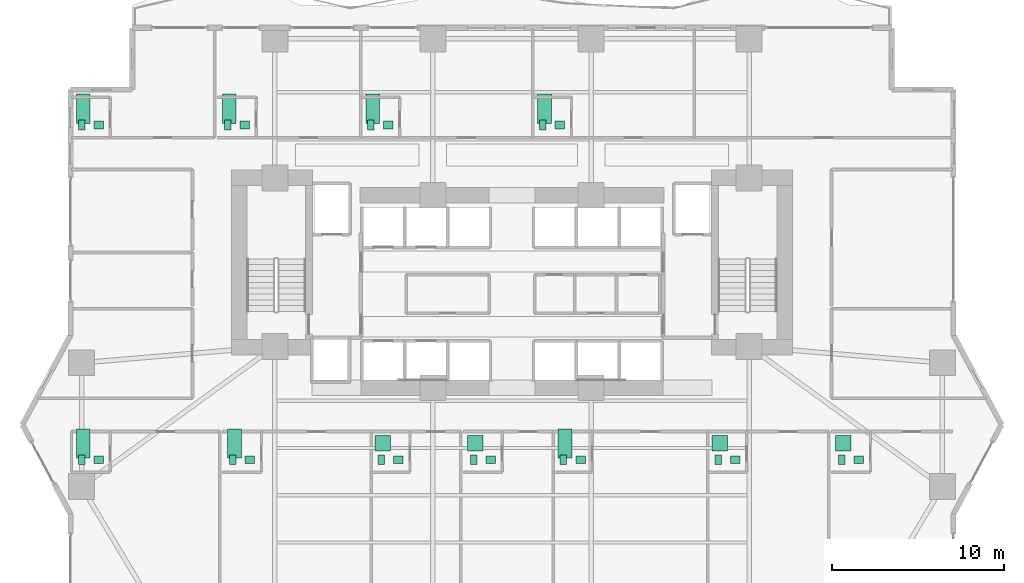
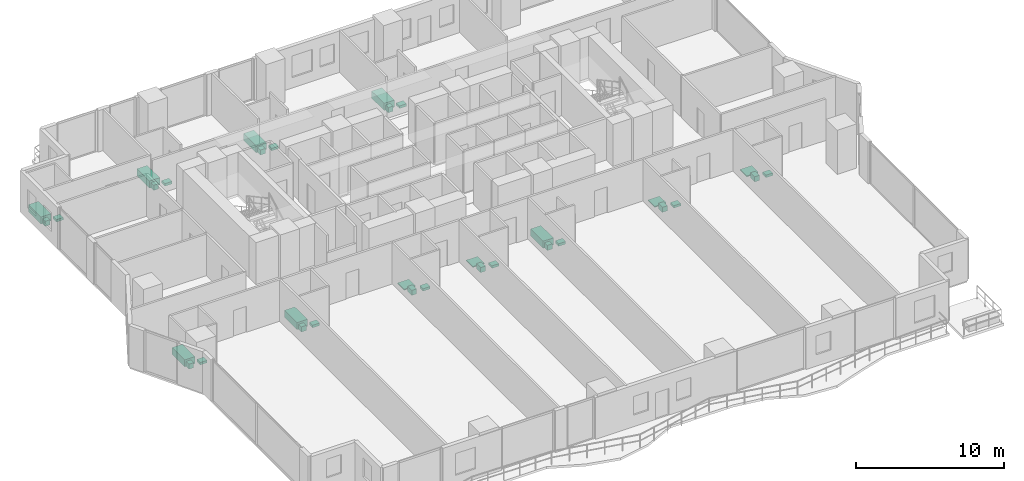
# One storey, part 29 of 29: 33 sanitary terminals.
"""IFC4 building model written with IfcOpenShell, lengths in metres."""

from ifc_helpers import new_model, si_unit, direction, frame, origin, origin_2d, place, context, subcontext, project, spatial, rectangle, extrude, material, type_object, element, save


model = new_model("IFC4")

# Units and contexts
model_context = context("Model", 3, precision=1e-05, world=origin(), true_north=direction((0.0, 1.0)))
body_context = subcontext(model_context, "Body", "Model", "MODEL_VIEW")
ifc_project = project(units=[si_unit("LENGTHUNIT", "METRE"), si_unit("AREAUNIT", "SQUARE_METRE"), si_unit("VOLUMEUNIT", "CUBIC_METRE"), si_unit("PLANEANGLEUNIT", "RADIAN"), si_unit("MASSUNIT", "GRAM", prefix="KILO")], contexts=[model_context])

# Site, building, storey
site_placement = place(None, origin())
site = spatial("IfcSite", under=ifc_project, at=site_placement, CompositionType="ELEMENT")
building_placement = place(site_placement, origin())
building = spatial("IfcBuilding", under=site, at=building_placement, Name="Zuhayl Quay Hotel", CompositionType="ELEMENT")
storey_placement = place(building_placement, frame((0.0, 0.0, 38.550048828125)))
storey = spatial("IfcBuildingStorey", under=building, at=storey_placement, Name="L08", CompositionType="ELEMENT", Elevation=38.550048828125)

# Sanitary terminals
ifc_material = material(Name="Vitreous Porcelain Sanitaryware")
sanitary_terminal_type_1 = type_object("IfcSanitaryTerminalType", Name="SAN_BASIN", PredefinedType="WASHHANDBASIN", material=ifc_material)
for number, where, z_axis, x_axis, name in (
    (1, (-24.050048828125, 17.43994140625, 0.0), (0.0, 0.0, 1.0), (1.0, 0.0, 0.0), "L08 Sanitary Fixture WASHHANDBASIN"),
    (2, (-15.550048828125, 17.43994140625, 0.0), (0.0, 0.0, 1.0), (1.0, 0.0, 0.0), "L08 Sanitary Fixture WASHHANDBASIN"),
    (3, (-7.2099609375, 17.43994140625, 0.0), (0.0, 0.0, 1.0), (1.0, 0.0, 0.0), "L08 Sanitary Fixture WASHHANDBASIN"),
    (4, (2.7900390625, 17.43994140625, 0.0), (0.0, 0.0, 1.0), (1.0, 0.0, 0.0), "L08 Sanitary Fixture WASHHANDBASIN"),
    (5, (-24.050048828125, -2.0400390625, 0.0), (0.0, 0.0, 1.0), (1.0, 0.0, 0.0), "L08 Sanitary Fixture WASHHANDBASIN"),
    (6, (-15.25, -2.0400390625, 0.0), (0.0, 0.0, 1.0), (1.0, 0.0, 0.0), "L08 Sanitary Fixture WASHHANDBASIN"),
    (7, (-6.610107421875, -2.0400390625, 0.0), (0.0, 0.0, 1.0), (1.0, 0.0, 0.0), "L08 Sanitary Fixture WASHHANDBASIN"),
    (8, (-1.22998046875, -2.0400390625, 0.0), (0.0, 0.0, 1.0), (1.0, 0.0, 0.0), "L08 Sanitary Fixture WASHHANDBASIN"),
    (9, (3.989990234375, -2.0400390625, 0.0), (0.0, 0.0, 1.0), (1.0, 0.0, 0.0), "L08 Sanitary Fixture WASHHANDBASIN"),
    (10, (12.989990234375, -2.0400390625, 0.0), (0.0, 0.0, 1.0), (1.0, 0.0, 0.0), "L08 Sanitary Fixture WASHHANDBASIN"),
    (11, (20.18994140625, -2.0400390625, 0.0), (0.0, 0.0, 1.0), (1.0, 0.0, 0.0), "L08 Sanitary Fixture WASHHANDBASIN"),
):
    element("IfcSanitaryTerminal", number, at=place(storey_placement, frame(where, z_axis=z_axis, x_axis=x_axis)), inside=storey, type_object=sanitary_terminal_type_1, Name=name, PredefinedType="WASHHANDBASIN", context=body_context, shape_type="SweptSolid", body=[
        extrude(rectangle(XDim=0.550048828125, YDim=0.449951171875, at=origin_2d()), origin(), (0.0, 0.0, 1.0), 0.199951171875),
    ])
sanitary_terminal_type_2 = type_object("IfcSanitaryTerminalType", Name="SAN_BATH", PredefinedType="BATH", material=ifc_material)
for number, where, z_axis, x_axis, name in (
    (12, (-24.949951171875, 18.389892578125, 0.0), (0.0, 0.0, 1.0), (1.0, 0.0, 0.0), "L08 Sanitary Fixture BATH"),
    (13, (-16.449951171875, 18.389892578125, 0.0), (0.0, 0.0, 1.0), (1.0, 0.0, 0.0), "L08 Sanitary Fixture BATH"),
    (14, (-8.110107421875, 18.389892578125, 0.0), (0.0, 0.0, 1.0), (1.0, 0.0, 0.0), "L08 Sanitary Fixture BATH"),
    (15, (1.889892578125, 18.389892578125, 0.0), (0.0, 0.0, 1.0), (1.0, 0.0, 0.0), "L08 Sanitary Fixture BATH"),
    (16, (-24.949951171875, -1.090087890625, 0.0), (0.0, 0.0, 1.0), (1.0, 0.0, 0.0), "L08 Sanitary Fixture BATH"),
    (17, (-16.14990234375, -1.090087890625, 0.0), (0.0, 0.0, 1.0), (1.0, 0.0, 0.0), "L08 Sanitary Fixture BATH"),
    (18, (3.090087890625, -1.090087890625, 0.0), (0.0, 0.0, 1.0), (1.0, 0.0, 0.0), "L08 Sanitary Fixture BATH"),
):
    element("IfcSanitaryTerminal", number, at=place(storey_placement, frame(where, z_axis=z_axis, x_axis=x_axis)), inside=storey, type_object=sanitary_terminal_type_2, Name=name, PredefinedType="BATH", context=body_context, shape_type="SweptSolid", body=[
        extrude(rectangle(XDim=0.800048828125, YDim=1.699951171875, at=origin_2d()), origin(), (0.0, 0.0, 1.0), 0.580078125),
    ])
sanitary_terminal_type_3 = type_object("IfcSanitaryTerminalType", Name="SAN_SHOWER", PredefinedType="SHOWER", material=ifc_material)
for number, where, z_axis, x_axis, name in (
    (19, (-7.510009765625, -1.090087890625, 0.0), (0.0, 0.0, 1.0), (1.0, 0.0, 0.0), "L08 Sanitary Fixture SHOWER"),
    (20, (-2.1298828125, -1.090087890625, 0.0), (0.0, 0.0, 1.0), (1.0, 0.0, 0.0), "L08 Sanitary Fixture SHOWER"),
    (21, (12.090087890625, -1.090087890625, 0.0), (0.0, 0.0, 1.0), (1.0, 0.0, 0.0), "L08 Sanitary Fixture SHOWER"),
    (22, (19.2900390625, -1.090087890625, 0.0), (0.0, 0.0, 1.0), (1.0, 0.0, 0.0), "L08 Sanitary Fixture SHOWER"),
):
    element("IfcSanitaryTerminal", number, at=place(storey_placement, frame(where, z_axis=z_axis, x_axis=x_axis)), inside=storey, type_object=sanitary_terminal_type_3, Name=name, PredefinedType="SHOWER", context=body_context, shape_type="SweptSolid", body=[
        extrude(rectangle(XDim=0.89990234375, YDim=0.89990234375, at=origin_2d()), origin(), (0.0, 0.0, 1.0), 0.080078125),
    ])
sanitary_terminal_type_4 = type_object("IfcSanitaryTerminalType", Name="SAN_WC", PredefinedType="TOILETPAN", material=ifc_material)
for number, where, z_axis, x_axis, name in (
    (23, (-25.050048828125, 17.43994140625, 0.0), (0.0, 0.0, 1.0), (1.0, 0.0, 0.0), "L08 Sanitary Fixture TOILETPAN"),
    (24, (-16.550048828125, 17.43994140625, 0.0), (0.0, 0.0, 1.0), (1.0, 0.0, 0.0), "L08 Sanitary Fixture TOILETPAN"),
    (25, (-8.2099609375, 17.43994140625, 0.0), (0.0, 0.0, 1.0), (1.0, 0.0, 0.0), "L08 Sanitary Fixture TOILETPAN"),
    (26, (1.7900390625, 17.43994140625, 0.0), (0.0, 0.0, 1.0), (1.0, 0.0, 0.0), "L08 Sanitary Fixture TOILETPAN"),
    (27, (-25.050048828125, -2.0400390625, 0.0), (0.0, 0.0, 1.0), (1.0, 0.0, 0.0), "L08 Sanitary Fixture TOILETPAN"),
    (28, (-16.25, -2.0400390625, 0.0), (0.0, 0.0, 1.0), (1.0, 0.0, 0.0), "L08 Sanitary Fixture TOILETPAN"),
    (29, (-7.610107421875, -2.0400390625, 0.0), (0.0, 0.0, 1.0), (1.0, 0.0, 0.0), "L08 Sanitary Fixture TOILETPAN"),
    (30, (-2.22998046875, -2.0400390625, 0.0), (0.0, 0.0, 1.0), (1.0, 0.0, 0.0), "L08 Sanitary Fixture TOILETPAN"),
    (31, (2.989990234375, -2.0400390625, 0.0), (0.0, 0.0, 1.0), (1.0, 0.0, 0.0), "L08 Sanitary Fixture TOILETPAN"),
    (32, (11.989990234375, -2.0400390625, 0.0), (0.0, 0.0, 1.0), (1.0, 0.0, 0.0), "L08 Sanitary Fixture TOILETPAN"),
    (33, (19.18994140625, -2.0400390625, 0.0), (0.0, 0.0, 1.0), (1.0, 0.0, 0.0), "L08 Sanitary Fixture TOILETPAN"),
):
    element("IfcSanitaryTerminal", number, at=place(storey_placement, frame(where, z_axis=z_axis, x_axis=x_axis)), inside=storey, type_object=sanitary_terminal_type_4, Name=name, PredefinedType="TOILETPAN", context=body_context, shape_type="SweptSolid", body=[
        extrude(rectangle(XDim=0.3798828125, YDim=0.56005859375, at=origin_2d()), origin(), (0.0, 0.0, 1.0), 0.419921875),
    ])

save(model, "model.ifc")
